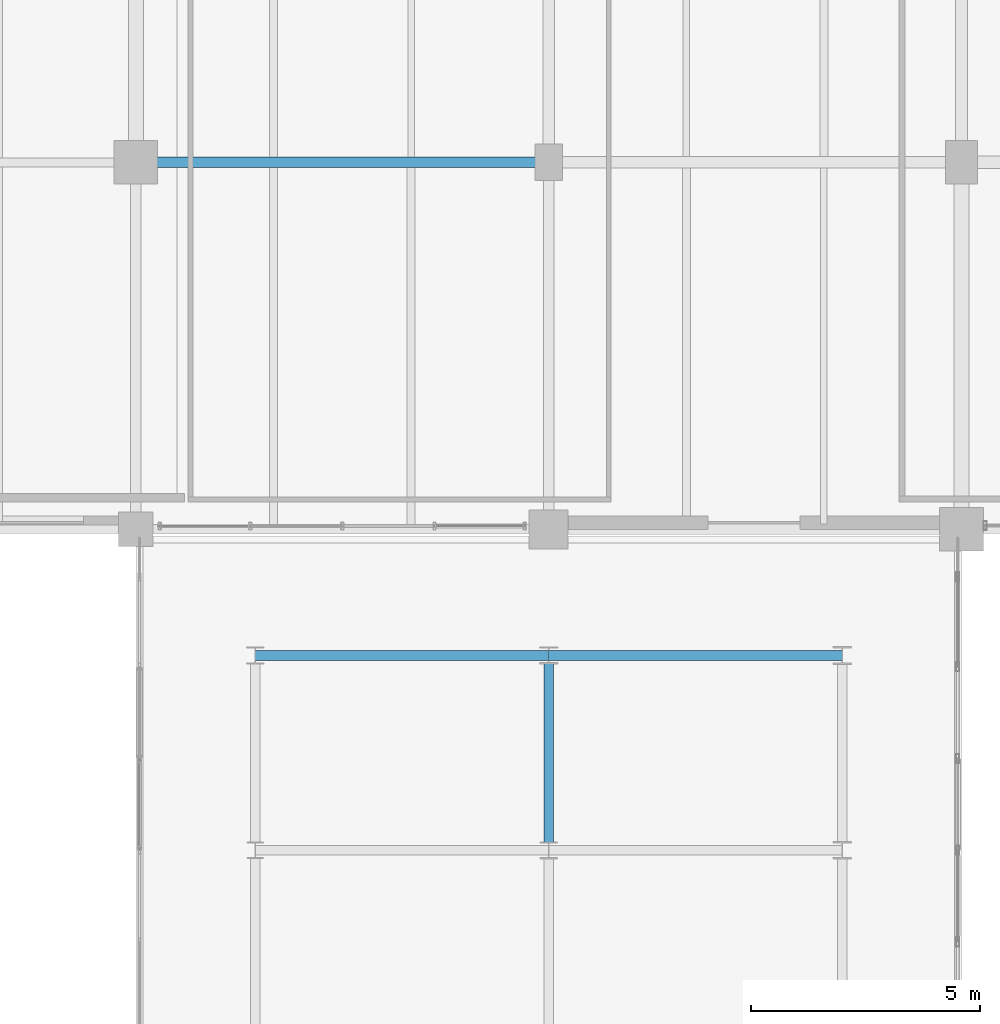
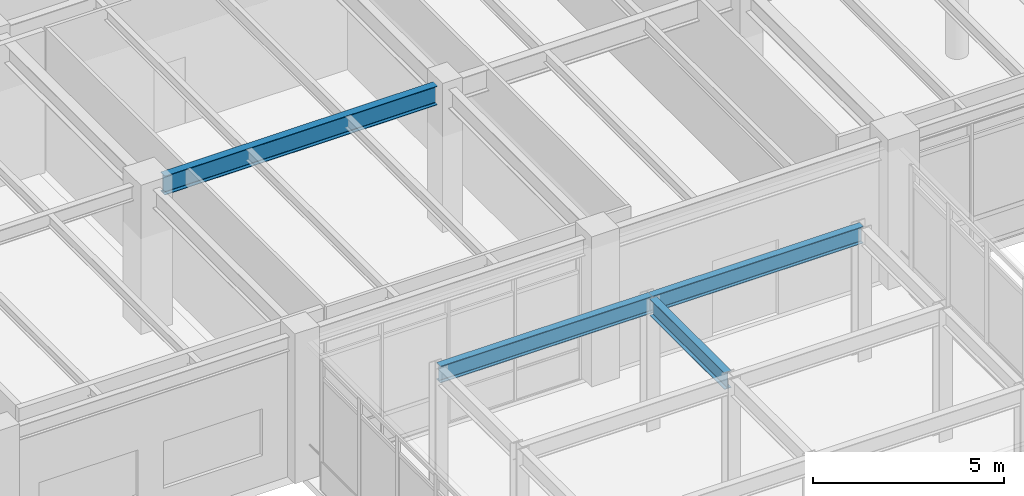
# One storey, part 89 of 200: 4 beams.
"""IFC4 building model written with IfcOpenShell, lengths in metres."""

from ifc_helpers import new_model, si_unit, direction, frame, origin, origin_2d, place, context, subcontext, project, spatial, i_section, extrude, material, material_profile, profile_set, type_object, element, save


model = new_model("IFC4")

# Units and contexts
model_context = context("Model", 3, precision=1e-05, world=origin(), true_north=direction((0.0, 1.0)))
body_context = subcontext(model_context, "Body", "Model", "MODEL_VIEW")
ifc_project = project(units=[si_unit("LENGTHUNIT", "METRE"), si_unit("AREAUNIT", "SQUARE_METRE"), si_unit("VOLUMEUNIT", "CUBIC_METRE"), si_unit("PLANEANGLEUNIT", "RADIAN"), si_unit("MASSUNIT", "GRAM", prefix="KILO"), si_unit("THERMODYNAMICTEMPERATUREUNIT", "KELVIN"), si_unit("POWERUNIT", "WATT")], contexts=[model_context])

# Site, building, storey
site_placement = place(None, origin())
site = spatial("IfcSite", under=ifc_project, at=site_placement, CompositionType="ELEMENT")
building_placement = place(site_placement, origin())
building = spatial("IfcBuilding", under=site, at=building_placement, Name="Tepalcoro Natatorium and Aquatics Centre", CompositionType="ELEMENT")
storey_placement = place(building_placement, frame((0.0, 0.0, 5.39990234375)))
storey = spatial("IfcBuildingStorey", under=building, at=storey_placement, Name="L01", CompositionType="ELEMENT", Elevation=5.39990234375)

# Beams
ifc_material = material(Name="Steel ASTM A992 Grade 50 (Fy 345 MPa)", Category="steel")
ifc_material_profile_1 = material_profile(ifc_material, i_section(OverallWidth=0.2109375, OverallDepth=0.5380859375, WebThickness=0.011962890625, FlangeThickness=0.01904296875, FilletRadius=0.013916015625, at=origin_2d()), Name="W21X73")
ifc_profile_set_1 = profile_set([ifc_material_profile_1], Name="Steel ASTM A992 Grade 50 (Fy 345 MPa)")
beam_type_1 = type_object("IfcBeamType", Name="BM_LINK_LB1", PredefinedType="BEAM", material=ifc_profile_set_1)
for number, where, z_axis, x_axis, name in (
    (1, (109.60009765625, 83.25, 3.9560546875), (1.0, 0.0, 0.0), (0.0, 1.0, 0.0), "Seismic passage link beam LB1 (V6NE L01)"),
    (2, (116.0, 83.25, 3.9560546875), (1.0, 0.0, 0.0), (0.0, 1.0, 0.0), "Seismic passage link beam LB1 (V6NE L01)"),
):
    element("IfcBeam", number, at=place(storey_placement, frame(where, z_axis=z_axis, x_axis=x_axis)), inside=storey, type_object=beam_type_1, Name=name, PredefinedType="BEAM", context=body_context, shape_type="SweptSolid", body=[
        extrude(i_section(OverallWidth=0.2109375, OverallDepth=0.5380859375, WebThickness=0.011962890625, FlangeThickness=0.01904296875, FilletRadius=0.013916015625, at=origin_2d()), origin(), (0.0, 0.0, 1.0), 6.39990234375),
    ])
beam_1_placement = place(storey_placement, frame((116.0, 79.1630859375, 3.9560546875), z_axis=(0.0, 1.0, 0.0), x_axis=(-1.0, 0.0, 0.0)))
element("IfcBeam", 3, at=beam_1_placement, inside=storey, type_object=beam_type_1, Name="Seismic passage link beam LB1 (V6NE L01)", PredefinedType="BEAM", context=body_context, shape_type="SweptSolid", body=[
    extrude(i_section(OverallWidth=0.2109375, OverallDepth=0.5380859375, WebThickness=0.011962890625, FlangeThickness=0.01904296875, FilletRadius=0.013916015625, at=origin_2d()), origin(), (0.0, 0.0, 1.0), 3.919921875),
])
ifc_material_profile_2 = material_profile(ifc_material, i_section(OverallWidth=0.22802734375, OverallDepth=0.60693359375, WebThickness=0.010986328125, FlangeThickness=0.01708984375, FilletRadius=0.013916015625, at=origin_2d()), Name="W24X76")
ifc_profile_set_2 = profile_set([ifc_material_profile_2], Name="Steel ASTM A992 Grade 50 (Fy 345 MPa)")
beam_type_2 = type_object("IfcBeamType", Name="BM_W24x76", PredefinedType="BEAM", material=ifc_profile_set_2)
beam_2_placement = place(storey_placement, frame((107.4599609375, 94.0, 4.24169921875), z_axis=(1.0, 0.0, 0.0), x_axis=(0.0, 1.0, 0.0)))
element("IfcBeam", 4, at=beam_2_placement, inside=storey, type_object=beam_type_2, Name="V5 L01 Grid Girder X", PredefinedType="BEAM", context=body_context, shape_type="SweptSolid", body=[
    extrude(i_section(OverallWidth=0.22802734375, OverallDepth=0.60693359375, WebThickness=0.010986328125, FlangeThickness=0.01708984375, FilletRadius=0.013916015625, at=origin_2d()), origin(), (0.0, 0.0, 1.0), 8.255126953125),
])

save(model, "model.ifc")
